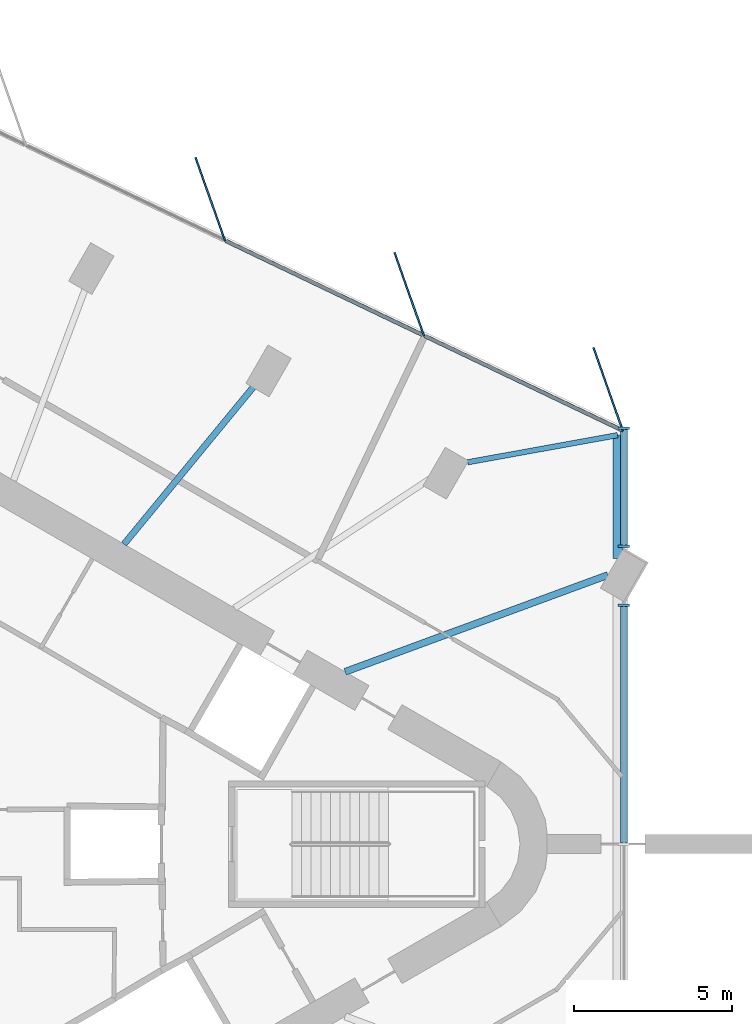
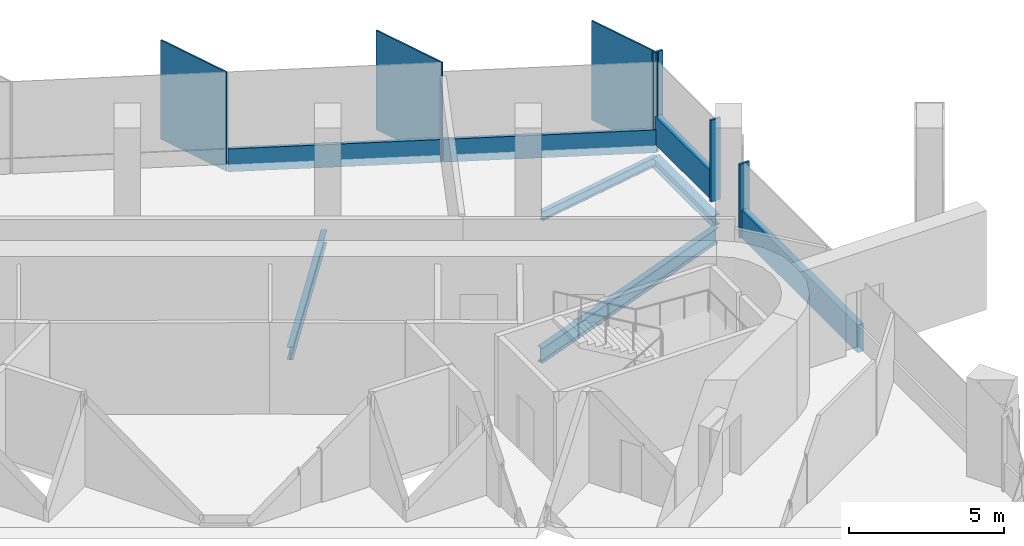
# One storey, part 5 of 12: 10 members, 4 beams, 3 elements without a shape of their own.
"""IFC4 building model written with IfcOpenShell, lengths in metres."""

from ifc_helpers import new_model, si_unit, direction, frame, origin, origin_2d, place, context, subcontext, project, spatial, rectangle, i_section, extrude, material, material_profile, profile_set, type_object, element, aggregate, save


model = new_model("IFC4")

# Units and contexts
model_context = context("Model", 3, precision=1e-05, world=origin(), true_north=direction((0.0, 1.0)))
body_context = subcontext(model_context, "Body", "Model", "MODEL_VIEW")
ifc_project = project(units=[si_unit("LENGTHUNIT", "METRE"), si_unit("AREAUNIT", "SQUARE_METRE"), si_unit("VOLUMEUNIT", "CUBIC_METRE"), si_unit("PLANEANGLEUNIT", "RADIAN"), si_unit("MASSUNIT", "GRAM", prefix="KILO")], contexts=[model_context])

# Site, building, storey
site_placement = place(None, origin())
site = spatial("IfcSite", under=ifc_project, at=site_placement, CompositionType="ELEMENT")
building_placement = place(site_placement, origin())
building = spatial("IfcBuilding", under=site, at=building_placement, Name="Tanit Gate Tower", CompositionType="ELEMENT")
storey_placement = place(building_placement, frame((0.0, 0.0, 368.89990234375)))
storey = spatial("IfcBuildingStorey", under=building, at=storey_placement, Name="L84", CompositionType="ELEMENT", Elevation=368.89990234375)

# Beam
ifc_material_1 = material(Name="Steel S355", Category="steel")
ifc_material_profile_1 = material_profile(ifc_material_1, i_section(OverallWidth=0.300048828125, OverallDepth=0.389892578125, WebThickness=0.010986328125, FlangeThickness=0.01904296875, FilletRadius=0.027099609375, at=origin_2d()), Name="HEA 400")
ifc_profile_set_1 = profile_set([ifc_material_profile_1], Name="Steel S355")
beam_type_1 = type_object("IfcBeamType", Name="EDGE BEAM HEA 400 S355", PredefinedType="BEAM", material=ifc_profile_set_1)
beam_1_placement = place(storey_placement, frame((23.3798828125, 12.913818359375, -0.494873046875), z_axis=(0.0, -1.0, 0.0), x_axis=(1.0, 0.0, 0.0)))
element("IfcBeam", 1, at=beam_1_placement, inside=storey, type_object=beam_type_1, Name="EDGE BEAM", PredefinedType="BEAM", context=body_context, shape_type="SweptSolid", body=[
    extrude(i_section(OverallWidth=0.300048828125, OverallDepth=0.389892578125, WebThickness=0.010986328125, FlangeThickness=0.01904296875, FilletRadius=0.027099609375, at=origin_2d()), origin(), (0.0, 0.0, 1.0), 3.89208984375),
])

# Curtain wall, members
ifc_material_2 = material(Name="Aluminium bronze anodised and glass", Category="aluminium")
curtain_wall_type_1 = type_object("IfcCurtainWallType", Name="Curtain wall typical high", PredefinedType="NOTDEFINED", material=ifc_material_2)
curtain_wall_1_placement = place(storey_placement, origin())
curtain_wall_1 = element("IfcCurtainWall", 2, at=curtain_wall_1_placement, inside=storey, type_object=curtain_wall_type_1, Name="Curtain wall L84 NE2c", PredefinedType="NOTDEFINED")
ifc_material_3 = material(Name="Aluminium bronze anodised", Category="aluminium")
ifc_material_profile_2 = material_profile(ifc_material_3, rectangle(XDim=2.800048828125, YDim=0.055908203125, at=origin_2d()), Name="56x2800 bronze fin mullion")
ifc_profile_set_2 = profile_set([ifc_material_profile_2], Name="Aluminium bronze anodised")
member_type_1 = type_object("IfcMemberType", Name="FIN MULLION 56x2800 bronze", PredefinedType="MULLION", material=ifc_profile_set_2)
member_1_placement = place(storey_placement, frame((23.084716796875, 14.3583984375, -0.2998046875), z_axis=(0.0, 0.0, 1.0), x_axis=(0.333090099539, -0.94289500242, 0.0)))
member_1 = element("IfcMember", 3, at=member_1_placement, type_object=member_type_1, Name="Fin mullion L84 NE2c.1", PredefinedType="MULLION", context=body_context, shape_type="SweptSolid", body=[
    extrude(rectangle(XDim=2.800048828125, YDim=0.055908203125, at=origin_2d()), origin(), (0.0, 0.0, 1.0), 3.89990234375),
])
member_2_placement = place(storey_placement, frame((16.802490234375, 17.36083984375, -0.2998046875), z_axis=(0.0, 0.0, 1.0), x_axis=(0.333090099539, -0.94289500242, 0.0)))
member_2 = element("IfcMember", 4, at=member_2_placement, type_object=member_type_1, Name="Fin mullion L84 NE2c.2", PredefinedType="MULLION", context=body_context, shape_type="SweptSolid", body=[
    extrude(rectangle(XDim=2.800048828125, YDim=0.055908203125, at=origin_2d()), origin(), (0.0, 0.0, 1.0), 3.89990234375),
])
member_3_placement = place(storey_placement, frame((10.52001953125, 20.363037109375, -0.2998046875), z_axis=(0.0, 0.0, 1.0), x_axis=(0.333090099539, -0.94289500242, 0.0)))
member_3 = element("IfcMember", 5, at=member_3_placement, type_object=member_type_1, Name="Fin mullion L84 NE2c.3", PredefinedType="MULLION", context=body_context, shape_type="SweptSolid", body=[
    extrude(rectangle(XDim=2.800048828125, YDim=0.055908203125, at=origin_2d()), origin(), (0.0, 0.0, 1.0), 3.89990234375),
])

ifc_material_4 = material(Name="Aluminium bronze anodised and glass", Category="aluminium")
curtain_wall_type_2 = type_object("IfcCurtainWallType", Name="Curtain wall portal glazing", PredefinedType="NOTDEFINED", material=ifc_material_4)
curtain_wall_2_placement = place(storey_placement, origin())
curtain_wall_2 = element("IfcCurtainWall", 6, at=curtain_wall_2_placement, inside=storey, type_object=curtain_wall_type_2, Name="Curtain wall L84 NOTCH1", PredefinedType="NOTDEFINED")
ifc_material_5 = material(Name="Aluminium bronze anodised", Category="aluminium")
ifc_material_profile_3 = material_profile(ifc_material_5, rectangle(XDim=0.360107421875, YDim=0.080078125, at=origin_2d()), Name="80x360 bronze mullion")
ifc_profile_set_3 = profile_set([ifc_material_profile_3], Name="Aluminium bronze anodised")
member_type_2 = type_object("IfcMemberType", Name="Mullion 80x360 portal glazing", PredefinedType="MULLION", material=ifc_profile_set_3)
member_4_placement = place(storey_placement, frame((23.580078125, 13.13232421875, 0.0), z_axis=(0.0, 0.0, 1.0), x_axis=(1.0, 0.0, 0.0)))
member_4 = element("IfcMember", 7, at=member_4_placement, type_object=member_type_2, Name="Mullion L84 NOTCH1.1", PredefinedType="MULLION", context=body_context, shape_type="SweptSolid", body=[
    extrude(rectangle(XDim=0.360107421875, YDim=0.080078125, at=origin_2d()), origin(), (0.0, 0.0, 1.0), 3.60009765625),
])
member_5_placement = place(storey_placement, frame((23.580078125, 9.404541015625, 0.0), z_axis=(0.0, 0.0, 1.0), x_axis=(1.0, 0.0, 0.0)))
member_5 = element("IfcMember", 8, at=member_5_placement, type_object=member_type_2, Name="Mullion L84 NOTCH1.2", PredefinedType="MULLION", context=body_context, shape_type="SweptSolid", body=[
    extrude(rectangle(XDim=0.360107421875, YDim=0.080078125, at=origin_2d()), origin(), (0.0, 0.0, 1.0), 3.210205078125),
])

# Curtain wall, member
curtain_wall_3_placement = place(storey_placement, origin())
curtain_wall_3 = element("IfcCurtainWall", 9, at=curtain_wall_3_placement, inside=storey, type_object=curtain_wall_type_2, Name="Curtain wall L84 NOTCH2", PredefinedType="NOTDEFINED")
member_6_placement = place(storey_placement, frame((23.580078125, 7.540283203125, -0.2998046875), z_axis=(0.0, 0.0, 1.0), x_axis=(1.0, 0.0, 0.0)))
member_6 = element("IfcMember", 10, at=member_6_placement, type_object=member_type_2, Name="Mullion L84 NOTCH2.1", PredefinedType="MULLION", context=body_context, shape_type="SweptSolid", body=[
    extrude(rectangle(XDim=0.360107421875, YDim=0.080078125, at=origin_2d()), origin(), (0.0, 0.0, 1.0), 2.909912109375),
])

# Beams
ifc_material_6 = material(Name="Steel S355", Category="steel")
ifc_material_profile_4 = material_profile(ifc_material_6, i_section(OverallWidth=0.199951171875, OverallDepth=0.5, WebThickness=0.01025390625, FlangeThickness=0.01611328125, FilletRadius=0.02099609375, at=origin_2d()), Name="IPE 500")
ifc_profile_set_4 = profile_set([ifc_material_profile_4], Name="Steel S355")
beam_type_2 = type_object("IfcBeamType", Name="RADIAL GIRDER IPE 500 S355", PredefinedType="BEAM", material=ifc_profile_set_4)
beam_2_placement = place(storey_placement, frame((12.05078125, 14.64208984375, -0.5498046875), z_axis=(-0.63547714301, -0.772119680303, 0.0), x_axis=(0.772119680303, -0.63547714301, 0.0)))
element("IfcBeam", 11, at=beam_2_placement, inside=storey, type_object=beam_type_2, Name="RADIAL GIRDER", PredefinedType="BEAM", context=body_context, shape_type="SweptSolid", body=[
    extrude(i_section(OverallWidth=0.199951171875, OverallDepth=0.5, WebThickness=0.01025390625, FlangeThickness=0.01611328125, FilletRadius=0.02099609375, at=origin_2d()), origin(), (0.0, 0.0, 1.0), 6.69482421875),
])
ifc_material_7 = material(Name="Steel S355", Category="steel")
ifc_material_profile_5 = material_profile(ifc_material_7, i_section(OverallWidth=0.219970703125, OverallDepth=0.60009765625, WebThickness=0.011962890625, FlangeThickness=0.01904296875, FilletRadius=0.02392578125, at=origin_2d()), Name="IPE 600")
ifc_profile_set_5 = profile_set([ifc_material_profile_5], Name="Steel S355")
beam_type_3 = type_object("IfcBeamType", Name="RADIAL GIRDER IPE 600 S355", PredefinedType="BEAM", material=ifc_profile_set_5)
beam_3_placement = place(storey_placement, frame((23.074462890625, 8.49658203125, -0.599853515625), z_axis=(-0.938405339551, -0.345536421673, 0.0), x_axis=(0.345536421673, -0.938405339551, 0.0)))
element("IfcBeam", 12, at=beam_3_placement, inside=storey, type_object=beam_type_3, Name="RADIAL GIRDER", PredefinedType="BEAM", context=body_context, shape_type="SweptSolid", body=[
    extrude(i_section(OverallWidth=0.219970703125, OverallDepth=0.60009765625, WebThickness=0.011962890625, FlangeThickness=0.01904296875, FilletRadius=0.02392578125, at=origin_2d()), origin(), (0.0, 0.0, 1.0), 8.84033203125),
])
ifc_material_8 = material(Name="Steel S355", Category="steel")
ifc_material_profile_6 = material_profile(ifc_material_8, i_section(OverallWidth=0.169921875, OverallDepth=0.360107421875, WebThickness=0.008056640625, FlangeThickness=0.0126953125, FilletRadius=0.01806640625, at=origin_2d()), Name="IPE 360")
ifc_profile_set_6 = profile_set([ifc_material_profile_6], Name="Steel S355")
beam_type_4 = type_object("IfcBeamType", Name="RING BEAM IPE 360 S355", PredefinedType="BEAM", material=ifc_profile_set_6)
beam_4_placement = place(storey_placement, frame((23.3798828125, 12.913818359375, -0.47998046875), z_axis=(-0.984005275073, -0.178139323646, 0.0), x_axis=(0.178139323646, -0.984005275073, 0.0)))
element("IfcBeam", 13, at=beam_4_placement, inside=storey, type_object=beam_type_4, Name="RING BEAM", PredefinedType="BEAM", context=body_context, shape_type="SweptSolid", body=[
    extrude(i_section(OverallWidth=0.169921875, OverallDepth=0.360107421875, WebThickness=0.008056640625, FlangeThickness=0.0126953125, FilletRadius=0.01806640625, at=origin_2d()), origin(), (0.0, 0.0, 1.0), 4.80908203125),
])

# Member
ifc_material_9 = material(Name="Aluminium bronze anodised", Category="aluminium")
ifc_material_profile_7 = material_profile(ifc_material_9, rectangle(XDim=0.1201171875, YDim=0.89990234375, at=origin_2d()), Name="120x900 bronze transom")
ifc_profile_set_7 = profile_set([ifc_material_profile_7], Name="Aluminium bronze anodised")
member_type_3 = type_object("IfcMemberType", Name="Transom 120x900 typical high", PredefinedType="USERDEFINED", material=ifc_profile_set_7)
member_7_placement = place(storey_placement, frame((23.50830078125, 13.07421875, 0.150146484375), z_axis=(-0.90226563926, 0.431180607416, 0.0), x_axis=(-0.431180607416, -0.90226563926, 0.0)))
member_7 = element("IfcMember", 14, at=member_7_placement, type_object=member_type_3, Name="Transom L84 NE2c.1", ObjectType="TRANSOM", PredefinedType="USERDEFINED", context=body_context, shape_type="SweptSolid", body=[
    extrude(rectangle(XDim=0.1201171875, YDim=0.89990234375, at=origin_2d()), origin(), (0.0, 0.0, 1.0), 6.8828125),
])

member_8_placement = place(storey_placement, frame((17.22607421875, 16.07666015625, 0.150146484375), z_axis=(-0.90226563926, 0.431180607416, 0.0), x_axis=(-0.431180607416, -0.90226563926, 0.0)))
member_8 = element("IfcMember", 15, at=member_8_placement, type_object=member_type_3, Name="Transom L84 NE2c.2", ObjectType="TRANSOM", PredefinedType="USERDEFINED", context=body_context, shape_type="SweptSolid", body=[
    extrude(rectangle(XDim=0.1201171875, YDim=0.89990234375, at=origin_2d()), origin(), (0.0, 0.0, 1.0), 6.8828125),
])

aggregate(curtain_wall_1, [member_1, member_2, member_3, member_7, member_8])

ifc_material_10 = material(Name="Aluminium bronze anodised", Category="aluminium")
ifc_material_profile_8 = material_profile(ifc_material_10, rectangle(XDim=0.219970703125, YDim=1.10009765625, at=origin_2d()), Name="220x1100 bronze transom")
ifc_profile_set_8 = profile_set([ifc_material_profile_8], Name="Aluminium bronze anodised")
member_type_4 = type_object("IfcMemberType", Name="Transom 220x1100 portal glazing", PredefinedType="USERDEFINED", material=ifc_profile_set_8)
member_9_placement = place(storey_placement, frame((23.580078125, 13.09228515625, 0.550048828125), z_axis=(0.0, -1.0, 0.0), x_axis=(1.0, 0.0, 0.0)))
member_9 = element("IfcMember", 16, at=member_9_placement, type_object=member_type_4, Name="Transom L84 NOTCH1.1", ObjectType="TRANSOM", PredefinedType="USERDEFINED", context=body_context, shape_type="SweptSolid", body=[
    extrude(rectangle(XDim=0.219970703125, YDim=1.10009765625, at=origin_2d()), origin(), (0.0, 0.0, 1.0), 3.647705078125),
])

aggregate(curtain_wall_2, [member_4, member_5, member_9])

member_10_placement = place(storey_placement, frame((23.580078125, 7.500244140625, 0.25), z_axis=(0.0, -1.0, 0.0), x_axis=(1.0, 0.0, 0.0)))
member_10 = element("IfcMember", 17, at=member_10_placement, type_object=member_type_4, Name="Transom L84 NOTCH2.1", ObjectType="TRANSOM", PredefinedType="USERDEFINED", context=body_context, shape_type="SweptSolid", body=[
    extrude(rectangle(XDim=0.219970703125, YDim=1.10009765625, at=origin_2d()), origin(), (0.0, 0.0, 1.0), 7.460205078125),
])

aggregate(curtain_wall_3, [member_6, member_10])

save(model, "model.ifc")
